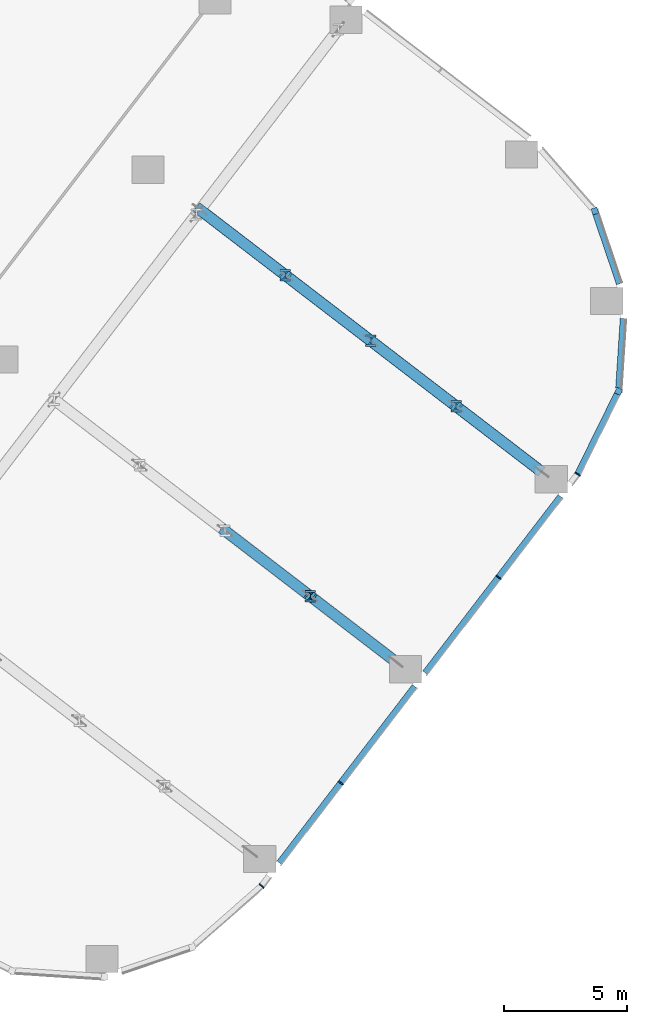
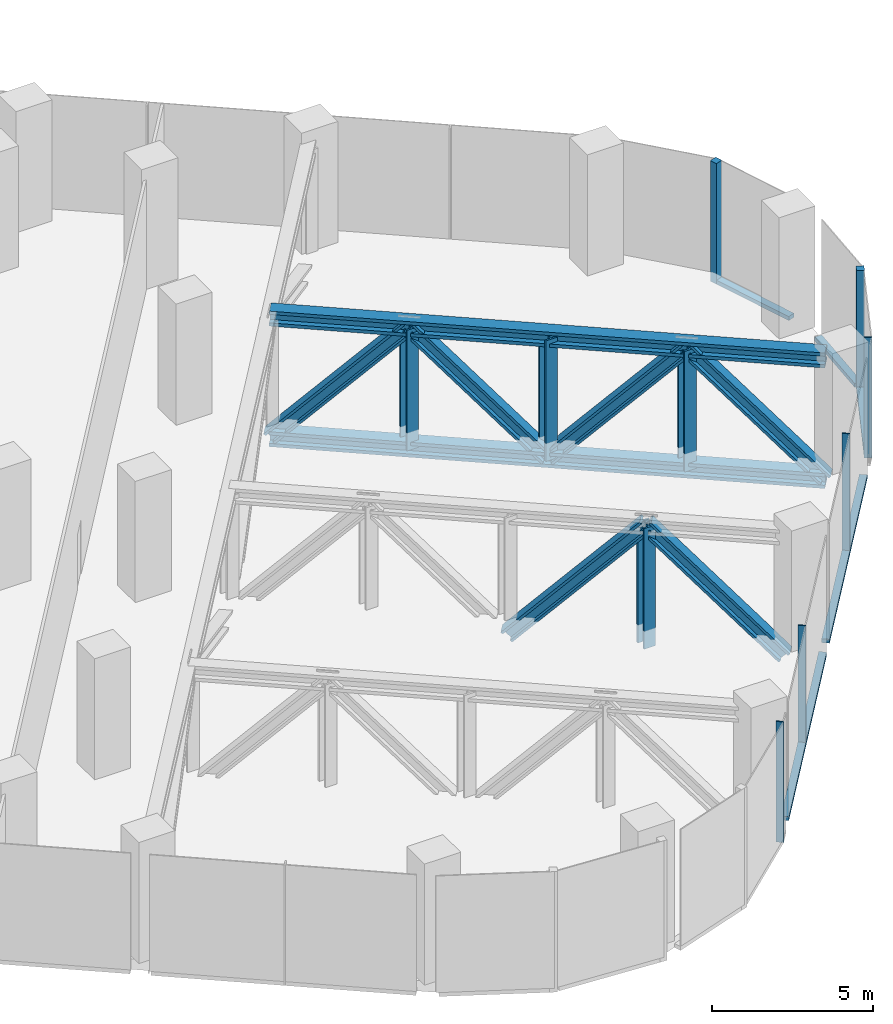
# One storey, part 9 of 30: 23 members, 5 elements without a shape of their own.
"""IFC4 building model written with IfcOpenShell, lengths in metres."""

from ifc_helpers import new_model, si_unit, direction, frame, origin, origin_2d, place, context, subcontext, project, spatial, rectangle, i_section, extrude, material, material_profile, profile_set, type_object, element, aggregate, save


model = new_model("IFC4")

# Units and contexts
model_context = context("Model", 3, precision=1e-05, world=origin(), true_north=direction((0.0, 1.0)))
body_context = subcontext(model_context, "Body", "Model", "MODEL_VIEW")
ifc_project = project(units=[si_unit("LENGTHUNIT", "METRE"), si_unit("AREAUNIT", "SQUARE_METRE"), si_unit("VOLUMEUNIT", "CUBIC_METRE"), si_unit("PLANEANGLEUNIT", "RADIAN"), si_unit("MASSUNIT", "GRAM", prefix="KILO")], contexts=[model_context])

# Site, building, storey
site_placement = place(None, origin())
site = spatial("IfcSite", under=ifc_project, at=site_placement, CompositionType="ELEMENT")
building_placement = place(site_placement, origin())
building = spatial("IfcBuilding", under=site, at=building_placement, Name="Orlundy Tower", CompositionType="ELEMENT")
storey_placement = place(building_placement, frame((0.0, 0.0, 20.5)))
storey = spatial("IfcBuildingStorey", under=building, at=storey_placement, Name="L03", CompositionType="ELEMENT", Elevation=20.5)

# Curtain wall, member
ifc_material_1 = material(Name="Aluminium bronze anodised", Category="aluminium")
curtain_wall_type = type_object("IfcCurtainWallType", Name="CW2 wall", PredefinedType="NOTDEFINED", material=ifc_material_1)
curtain_wall_1_placement = place(storey_placement, origin())
curtain_wall_1 = element("IfcCurtainWall", 1, at=curtain_wall_1_placement, inside=storey, type_object=curtain_wall_type, Name="CW2 run 020", PredefinedType="NOTDEFINED")
ifc_material_2 = material(Name="Aluminium bronze anodised", Category="aluminium")
ifc_material_profile_1 = material_profile(ifc_material_2, rectangle(XDim=0.25, YDim=0.25, at=origin_2d()), Name="CW2 corner post 250x250")
ifc_profile_set_1 = profile_set([ifc_material_profile_1], Name="Aluminium bronze anodised")
member_type_1 = type_object("IfcMemberType", Name="CW2 corner post 250x250", PredefinedType="MULLION", material=ifc_profile_set_1)
member_1_placement = place(storey_placement, frame((55.1904296875, -17.9033203125, -0.39990234375), z_axis=(0.0, 0.0, 1.0), x_axis=(0.946887788144, 0.321564171921, 0.0)))
member_1 = element("IfcMember", 2, at=member_1_placement, type_object=member_type_1, Name="CW2 mullion 58", PredefinedType="MULLION", context=body_context, shape_type="SweptSolid", body=[
    extrude(rectangle(XDim=0.25, YDim=0.25, at=origin_2d()), origin(), (0.0, 0.0, 1.0), 4.579833984375),
])

curtain_wall_2_placement = place(storey_placement, origin())
curtain_wall_2 = element("IfcCurtainWall", 3, at=curtain_wall_2_placement, inside=storey, type_object=curtain_wall_type, Name="CW2 run 022", PredefinedType="NOTDEFINED")
member_2_placement = place(storey_placement, frame((56.152099609375, -25.2080078125, -0.39990234375), z_axis=(0.0, 0.0, 1.0), x_axis=(0.896948547323, -0.442134938063, 0.0)))
member_2 = element("IfcMember", 4, at=member_2_placement, type_object=member_type_1, Name="CW2 mullion 60", PredefinedType="MULLION", context=body_context, shape_type="SweptSolid", body=[
    extrude(rectangle(XDim=0.25, YDim=0.25, at=origin_2d()), origin(), (0.0, 0.0, 1.0), 4.579833984375),
])

# Curtain wall, members
curtain_wall_3_placement = place(storey_placement, origin())
curtain_wall_3 = element("IfcCurtainWall", 5, at=curtain_wall_3_placement, inside=storey, type_object=curtain_wall_type, Name="CW2 run 023", PredefinedType="NOTDEFINED")
ifc_material_3 = material(Name="Aluminium bronze anodised", Category="aluminium")
ifc_material_profile_2 = material_profile(ifc_material_3, rectangle(XDim=0.25, YDim=0.050048828125, at=origin_2d()), Name="CW2 mullion 50x250")
ifc_profile_set_2 = profile_set([ifc_material_profile_2], Name="Aluminium bronze anodised")
member_type_2 = type_object("IfcMemberType", Name="CW2 mullion 50x250", PredefinedType="MULLION", material=ifc_profile_set_2)
member_3_placement = place(storey_placement, frame((54.49658203125, -28.56640625, -0.39990234375), z_axis=(0.0, 0.0, 1.0), x_axis=(0.849244125141, -0.528000393858, 0.0)))
member_3 = element("IfcMember", 6, at=member_3_placement, type_object=member_type_2, Name="CW2 mullion 61", PredefinedType="MULLION", context=body_context, shape_type="SweptSolid", body=[
    extrude(rectangle(XDim=0.25, YDim=0.050048828125, at=origin_2d()), origin(), (0.0, 0.0, 1.0), 4.579833984375),
])
member_4_placement = place(storey_placement, frame((51.293212890625, -32.7412109375, -0.39990234375), z_axis=(0.0, 0.0, 1.0), x_axis=(0.793345695949, -0.60877139118, 0.0)))
member_4 = element("IfcMember", 7, at=member_4_placement, type_object=member_type_2, Name="CW2 mullion 62", PredefinedType="MULLION", context=body_context, shape_type="SweptSolid", body=[
    extrude(rectangle(XDim=0.25, YDim=0.050048828125, at=origin_2d()), origin(), (0.0, 0.0, 1.0), 4.579833984375),
])
member_5_placement = place(storey_placement, frame((44.901123046875, -41.071044921875, -0.39990234375), z_axis=(0.0, 0.0, 1.0), x_axis=(0.793345695949, -0.60877139118, 0.0)))
member_5 = element("IfcMember", 8, at=member_5_placement, type_object=member_type_2, Name="CW2 mullion 64", PredefinedType="MULLION", context=body_context, shape_type="SweptSolid", body=[
    extrude(rectangle(XDim=0.25, YDim=0.050048828125, at=origin_2d()), origin(), (0.0, 0.0, 1.0), 4.579833984375),
])

# Curtain wall, member
curtain_wall_4_placement = place(storey_placement, origin())
curtain_wall_4 = element("IfcCurtainWall", 9, at=curtain_wall_4_placement, inside=storey, type_object=curtain_wall_type, Name="CW2 run 024", PredefinedType="NOTDEFINED")
member_6_placement = place(storey_placement, frame((41.69775390625, -45.245849609375, -0.39990234375), z_axis=(0.0, 0.0, 1.0), x_axis=(0.729850532445, -0.683606758517, 0.0)))
member_6 = element("IfcMember", 10, at=member_6_placement, type_object=member_type_2, Name="CW2 mullion 65", PredefinedType="MULLION", context=body_context, shape_type="SweptSolid", body=[
    extrude(rectangle(XDim=0.25, YDim=0.050048828125, at=origin_2d()), origin(), (0.0, 0.0, 1.0), 4.579833984375),
])
aggregate(curtain_wall_4, [member_6])

# Member
ifc_material_4 = material(Name="Aluminium bronze anodised", Category="aluminium")
ifc_material_profile_3 = material_profile(ifc_material_4, rectangle(XDim=0.25, YDim=0.14990234375, at=origin_2d()), Name="CW2 transom 250x150")
ifc_profile_set_3 = profile_set([ifc_material_profile_3], Name="Aluminium bronze anodised")
member_type_3 = type_object("IfcMemberType", Name="CW2 transom 250x150", PredefinedType="USERDEFINED", material=ifc_profile_set_3)
member_7_placement = place(storey_placement, frame((55.23046875, -18.021728515625, -0.324951171875), z_axis=(0.321632114973, -0.946864711888, 0.0), x_axis=(0.946864711888, 0.321632114973, 0.0)))
member_7 = element("IfcMember", 11, at=member_7_placement, type_object=member_type_3, Name="CW2 transom", ObjectType="TRANSOM", PredefinedType="USERDEFINED", context=body_context, shape_type="SweptSolid", body=[
    extrude(rectangle(XDim=0.25, YDim=0.14990234375, at=origin_2d()), origin(), (0.0, 0.0, 1.0), 2.9921875),
])

aggregate(curtain_wall_1, [member_1, member_7])

# Curtain wall, member
curtain_wall_5_placement = place(storey_placement, origin())
curtain_wall_5 = element("IfcCurtainWall", 12, at=curtain_wall_5_placement, inside=storey, type_object=curtain_wall_type, Name="CW2 run 021", PredefinedType="NOTDEFINED")
member_8_placement = place(storey_placement, frame((56.34619140625, -22.2548828125, -0.324951171875), z_axis=(-0.065612448488, -0.997845181681, 0.0), x_axis=(0.997845181681, -0.065612448488, 0.0)))
member_8 = element("IfcMember", 13, at=member_8_placement, type_object=member_type_3, Name="CW2 transom", ObjectType="TRANSOM", PredefinedType="USERDEFINED", context=body_context, shape_type="SweptSolid", body=[
    extrude(rectangle(XDim=0.25, YDim=0.14990234375, at=origin_2d()), origin(), (0.0, 0.0, 1.0), 2.82421875),
])
aggregate(curtain_wall_5, [member_8])

# Member
member_9_placement = place(storey_placement, frame((56.096923828125, -25.320068359375, -0.324951171875), z_axis=(-0.442152508269, -0.896939886186, 0.0), x_axis=(0.896939886186, -0.442152508269, 0.0)))
member_9 = element("IfcMember", 14, at=member_9_placement, type_object=member_type_3, Name="CW2 transom", ObjectType="TRANSOM", PredefinedType="USERDEFINED", context=body_context, shape_type="SweptSolid", body=[
    extrude(rectangle(XDim=0.25, YDim=0.14990234375, at=origin_2d()), origin(), (0.0, 0.0, 1.0), 3.593994140625),
])

aggregate(curtain_wall_2, [member_2, member_9])

member_10_placement = place(storey_placement, frame((53.803955078125, -29.468994140625, -0.324951171875), z_axis=(-0.608769580289, -0.793347085527, 0.0), x_axis=(0.793347085527, -0.608769580289, 0.0)))
member_10 = element("IfcMember", 15, at=member_10_placement, type_object=member_type_3, Name="CW2 transom", ObjectType="TRANSOM", PredefinedType="USERDEFINED", context=body_context, shape_type="SweptSolid", body=[
    extrude(rectangle(XDim=0.25, YDim=0.14990234375, at=origin_2d()), origin(), (0.0, 0.0, 1.0), 9.0048828125),
])

member_11_placement = place(storey_placement, frame((47.8984375, -37.1650390625, -0.324951171875), z_axis=(-0.608774734676, -0.793343130317, 0.0), x_axis=(0.793343130317, -0.608774734676, 0.0)))
member_11 = element("IfcMember", 16, at=member_11_placement, type_object=member_type_3, Name="CW2 transom", ObjectType="TRANSOM", PredefinedType="USERDEFINED", context=body_context, shape_type="SweptSolid", body=[
    extrude(rectangle(XDim=0.25, YDim=0.14990234375, at=origin_2d()), origin(), (0.0, 0.0, 1.0), 9.004150390625),
])

aggregate(curtain_wall_3, [member_3, member_4, member_5, member_10, member_11])

# Members
ifc_material_5 = material(Name="Steel ASTM A992 Gr 50", Category="steel")
ifc_material_profile_4 = material_profile(ifc_material_5, i_section(OverallWidth=0.454345703125, OverallDepth=0.569580078125, WebThickness=0.077880859375, FlangeThickness=0.124755859375, at=origin_2d()), Name="W14X730")
ifc_profile_set_4 = profile_set([ifc_material_profile_4], Name="Steel ASTM A992 Gr 50")
member_type_4 = type_object("IfcMemberType", Name="TRANSFER TRUSS chord W14X730", PredefinedType="CHORD", material=ifc_profile_set_4)
for number, where, z_axis, x_axis, name in (
    (17, (39.198974609375, -17.85205078125, -0.684814453125), (0.793364517417, -0.608746862418, 0.0), (0.608746862418, 0.793364517417, 0.0), "Transfer truss bottom chord TT-L3"),
    (18, (39.198974609375, -17.85205078125, 3.895263671875), (0.793364517417, -0.608746862418, 0.0), (0.608746862418, 0.793364517417, 0.0), "Transfer truss top chord TT-L3"),
):
    element("IfcMember", number, at=place(storey_placement, frame(where, z_axis=z_axis, x_axis=x_axis)), inside=storey, type_object=member_type_4, Name=name, PredefinedType="CHORD", context=body_context, shape_type="SweptSolid", body=[
        extrude(i_section(OverallWidth=0.454345703125, OverallDepth=0.569580078125, WebThickness=0.077880859375, FlangeThickness=0.124755859375, at=origin_2d()), origin(), (0.0, 0.0, 1.0), 17.438720703125),
    ])
ifc_material_6 = material(Name="Steel ASTM A992 Gr 50", Category="steel")
ifc_material_profile_5 = material_profile(ifc_material_6, i_section(OverallWidth=0.43212890625, OverallDepth=0.497802734375, WebThickness=0.0556640625, FlangeThickness=0.0888671875, at=origin_2d()), Name="W14X500")
ifc_profile_set_5 = profile_set([ifc_material_profile_5], Name="Steel ASTM A992 Gr 50")
member_type_5 = type_object("IfcMemberType", Name="TRANSFER TRUSS diagonal W14X500", PredefinedType="BRACE", material=ifc_profile_set_5)
member_12_placement = place(storey_placement, frame((40.211669921875, -30.855712890625, -0.684814453125), z_axis=(0.546984286959, -0.419726560566, 0.724318855322), x_axis=(0.608771247317, 0.793345806342, 0.0)))
element("IfcMember", 19, at=member_12_placement, inside=storey, type_object=member_type_5, Name="Transfer truss diagonal TT-L2-2", PredefinedType="BRACE", context=body_context, shape_type="SweptSolid", body=[
    extrude(i_section(OverallWidth=0.43212890625, OverallDepth=0.497802734375, WebThickness=0.0556640625, FlangeThickness=0.0888671875, at=origin_2d()), origin(), (0.0, 0.0, 1.0), 6.3232421875),
])
member_13_placement = place(storey_placement, frame((43.67041015625, -33.509765625, 3.895263671875), z_axis=(0.547011344129, -0.41971769636, -0.724303558432), x_axis=(0.608744202274, 0.793366558533, 0.0)))
element("IfcMember", 20, at=member_13_placement, inside=storey, type_object=member_type_5, Name="Transfer truss diagonal TT-L2-3", PredefinedType="BRACE", context=body_context, shape_type="SweptSolid", body=[
    extrude(i_section(OverallWidth=0.43212890625, OverallDepth=0.497802734375, WebThickness=0.0556640625, FlangeThickness=0.0888671875, at=origin_2d()), origin(), (0.0, 0.0, 1.0), 6.323486328125),
])
member_14_placement = place(storey_placement, frame((39.198974609375, -17.85205078125, -0.684814453125), z_axis=(0.546993150941, -0.419694751939, 0.724330593043), x_axis=(0.608735999526, 0.793372852372, 0.0)))
element("IfcMember", 21, at=member_14_placement, inside=storey, type_object=member_type_5, Name="Transfer truss diagonal TT-L3-0", PredefinedType="BRACE", context=body_context, shape_type="SweptSolid", body=[
    extrude(i_section(OverallWidth=0.43212890625, OverallDepth=0.497802734375, WebThickness=0.0556640625, FlangeThickness=0.0888671875, at=origin_2d()), origin(), (0.0, 0.0, 1.0), 6.3232421875),
])
member_15_placement = place(storey_placement, frame((42.65771484375, -20.505859375, 3.895263671875), z_axis=(0.547011344129, -0.41971769636, -0.724303558432), x_axis=(0.608744202274, 0.793366558533, 0.0)))
element("IfcMember", 22, at=member_15_placement, inside=storey, type_object=member_type_5, Name="Transfer truss diagonal TT-L3-1", PredefinedType="BRACE", context=body_context, shape_type="SweptSolid", body=[
    extrude(i_section(OverallWidth=0.43212890625, OverallDepth=0.497802734375, WebThickness=0.0556640625, FlangeThickness=0.0888671875, at=origin_2d()), origin(), (0.0, 0.0, 1.0), 6.323486328125),
])
for number, where, z_axis, x_axis, name in (
    (23, (46.11669921875, -23.159912109375, -0.684814453125), (0.546993150941, -0.419694751939, 0.724330593043), (0.608735999526, 0.793372852372, 0.0), "Transfer truss diagonal TT-L3-2"),
    (24, (49.575439453125, -25.813720703125, 3.895263671875), (0.546984286959, -0.419726560566, -0.724318855322), (0.608771247317, 0.793345806342, 0.0), "Transfer truss diagonal TT-L3-3"),
):
    element("IfcMember", number, at=place(storey_placement, frame(where, z_axis=z_axis, x_axis=x_axis)), inside=storey, type_object=member_type_5, Name=name, PredefinedType="BRACE", context=body_context, shape_type="SweptSolid", body=[
        extrude(i_section(OverallWidth=0.43212890625, OverallDepth=0.497802734375, WebThickness=0.0556640625, FlangeThickness=0.0888671875, at=origin_2d()), origin(), (0.0, 0.0, 1.0), 6.3232421875),
    ])
ifc_material_7 = material(Name="Steel ASTM A992 Gr 50", Category="steel")
ifc_material_profile_6 = material_profile(ifc_material_7, i_section(OverallWidth=0.41845703125, OverallDepth=0.455078125, WebThickness=0.0419921875, FlangeThickness=0.067626953125, at=origin_2d()), Name="W14X370")
ifc_profile_set_6 = profile_set([ifc_material_profile_6], Name="Steel ASTM A992 Gr 50")
member_type_6 = type_object("IfcMemberType", Name="TRANSFER TRUSS post W14X370", PredefinedType="POST", material=ifc_profile_set_6)
for number, where, z_axis, x_axis, name in (
    (25, (43.67041015625, -33.509765625, -0.684814453125), (0.0, 0.0, 1.0), (1.0, 0.0, 0.0), "Transfer truss post TT-L2-3"),
    (26, (42.65771484375, -20.505859375, -0.684814453125), (0.0, 0.0, 1.0), (1.0, 0.0, 0.0), "Transfer truss post TT-L3-1"),
    (27, (46.11669921875, -23.159912109375, -0.684814453125), (0.0, 0.0, 1.0), (1.0, 0.0, 0.0), "Transfer truss post TT-L3-2"),
    (28, (49.575439453125, -25.813720703125, -0.684814453125), (0.0, 0.0, 1.0), (1.0, 0.0, 0.0), "Transfer truss post TT-L3-3"),
):
    element("IfcMember", number, at=place(storey_placement, frame(where, z_axis=z_axis, x_axis=x_axis)), inside=storey, type_object=member_type_6, Name=name, PredefinedType="POST", context=body_context, shape_type="SweptSolid", body=[
        extrude(i_section(OverallWidth=0.41845703125, OverallDepth=0.455078125, WebThickness=0.0419921875, FlangeThickness=0.067626953125, at=origin_2d()), origin(), (0.0, 0.0, 1.0), 4.580078125),
    ])

save(model, "model.ifc")
